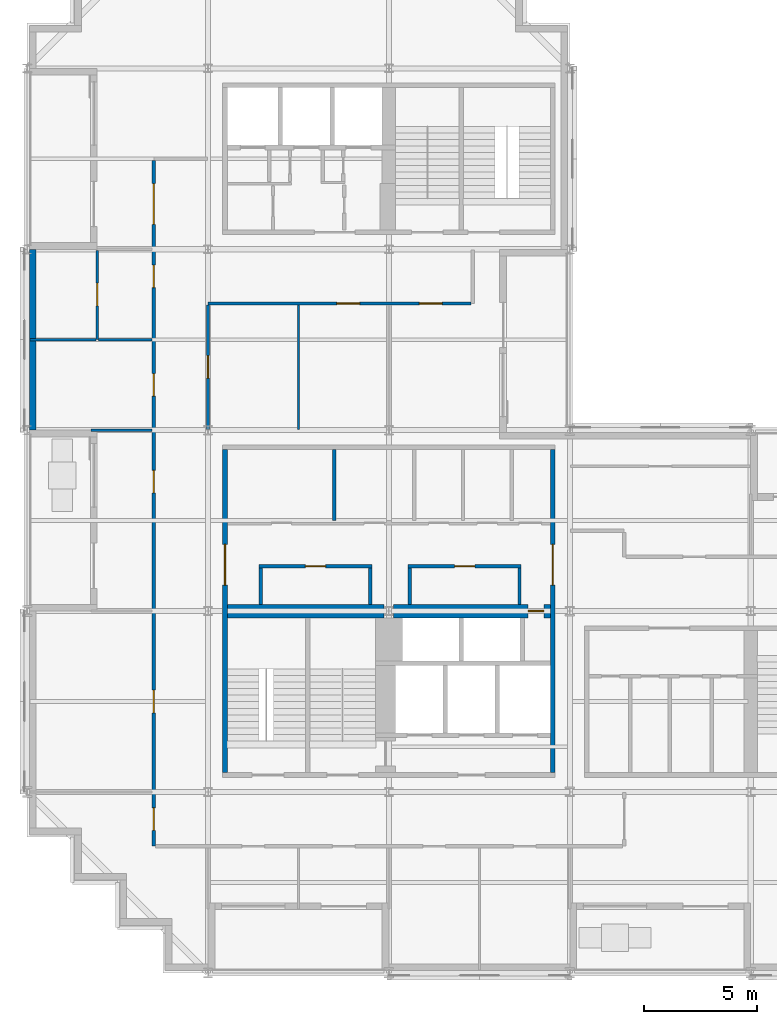
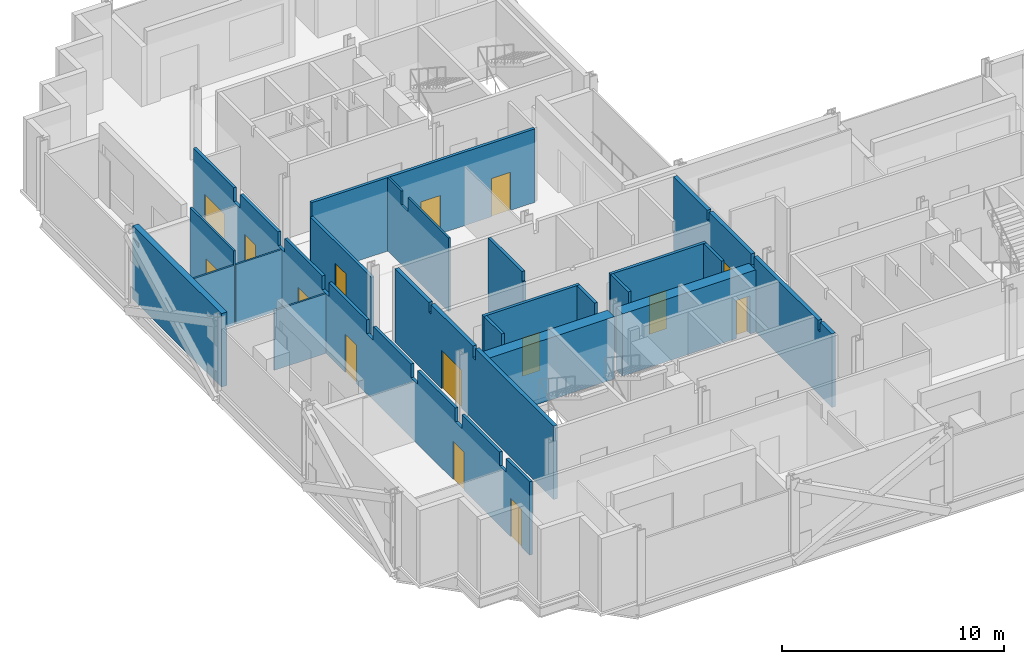
# One storey, part 6 of 13: 20 walls, 15 doors, 15 openings.
"""IFC4 building model written with IfcOpenShell, lengths in metres."""

from ifc_helpers import new_model, si_unit, direction, frame, frame_2d, origin, place, context, subcontext, project, spatial, polyline, rectangle, outline, extrude, material, layer, layer_set, type_object, element, fill, save


model = new_model("IFC4")

# Units and contexts
model_context = context("Model", 3, precision=1e-05, world=origin(), true_north=direction((0.0, 1.0)))
body_context = subcontext(model_context, "Body", "Model", "MODEL_VIEW")
ifc_project = project(units=[si_unit("LENGTHUNIT", "METRE"), si_unit("AREAUNIT", "SQUARE_METRE"), si_unit("VOLUMEUNIT", "CUBIC_METRE"), si_unit("PLANEANGLEUNIT", "RADIAN"), si_unit("MASSUNIT", "GRAM", prefix="KILO")], contexts=[model_context])

# Site, building, storey
site_placement = place(None, origin())
site = spatial("IfcSite", under=ifc_project, at=site_placement, CompositionType="ELEMENT")
building_placement = place(site_placement, origin())
building = spatial("IfcBuilding", under=site, at=building_placement, Name="Immortelle Media Tower", CompositionType="ELEMENT")
storey_placement = place(building_placement, frame((0.0, 0.0, 128.39990234375)))
storey = spatial("IfcBuildingStorey", under=building, at=storey_placement, Name="L25", CompositionType="ELEMENT", Elevation=128.39990234375)

# Wall, opening, door
ifc_material_1 = material(Name="Fire-rated masonry blockwork", Category="masonry")
ifc_layer_1 = layer(ifc_material_1, 0.60009765625)
ifc_layer_set_1 = layer_set([ifc_layer_1], Name="Fire-rated masonry blockwork")
wall_type_1 = type_object("IfcWallType", Name="Core grid-line wall 600", PredefinedType="PARTITIONING", material=ifc_layer_set_1)
wall_1_placement = place(storey_placement, frame((16.21044921875, 16.0, 0.0), z_axis=(0.0, 0.0, 1.0), x_axis=(1.0, 0.0, 0.0)))
wall_1 = element("IfcWall", 1, at=wall_1_placement, inside=storey, type_object=wall_type_1, Name="Core grid-line wall SW", PredefinedType="PARTITIONING", context=body_context, shape_type="SweptSolid", body=[
    extrude(rectangle(XDim=6.939453125, YDim=0.60009765625, at=frame_2d((3.4697265625, 0.0))), origin(), (0.0, 0.0, 1.0), 3.43212890625),
])
opening_1_placement = place(wall_1_placement, frame((6.639404296875, 0.0, 0.0), z_axis=(0.0, 0.0, 1.0), x_axis=(-1.0, 0.0, 0.0)))
opening_1 = element("IfcOpeningElement", 2, at=opening_1_placement, cuts=wall_1, Name="Opening C1-K016", PredefinedType="OPENING", context=body_context, shape_type="SweptSolid", body=[
    extrude(rectangle(XDim=0.699951171875, YDim=2.10009765625, at=frame_2d((0.35009765625, 1.050048828125))), frame((0.0, 0.31005859375, 0.0), z_axis=(0.0, -1.0, 0.0), x_axis=(1.0, 0.0, 0.0)), (0.0, 0.0, 1.0), 0.6201171875),
])
ifc_material_2 = material(Name="Galvanised steel door leaf and frame ASTM A653", Category="steel")
door_type_1 = type_object("IfcDoorType", Name="Service door 700 x 2100", OperationType="NOTDEFINED", PredefinedType="NOTDEFINED", material=ifc_material_2)
door_1_placement = place(opening_1_placement, origin())
door_1 = element("IfcDoor", 3, at=door_1_placement, inside=storey, type_object=door_type_1, Name="Service C1-K016", OperationType="SINGLE_SWING_LEFT", OverallHeight=2.10009765625, OverallWidth=0.699951171875, PredefinedType="NOTDEFINED", context=body_context, shape_type="SweptSolid", body=[
    extrude(rectangle(XDim=0.699951171875, YDim=2.10009765625, at=frame_2d((0.35009765625, 1.050048828125))), frame((0.0, 0.02490234375, 0.0), z_axis=(0.0, -1.0, 0.0), x_axis=(1.0, 0.0, 0.0)), (0.0, 0.0, 1.0), 0.050048828125),
])
fill(opening_1, door_1)

# Wall
ifc_material_3 = material(Name="Fire-rated gypsum board", Category="gypsum")
ifc_layer_2 = layer(ifc_material_3, 0.02490234375)
ifc_material_4 = material(Name="Steel ASTM A653 SS Gr 50 stud frame with mineral wool", Category="steel")
ifc_layer_3 = layer(ifc_material_4, 0.10009765625)
ifc_layer_4 = layer(ifc_material_3, 0.02490234375)
ifc_layer_set_2 = layer_set([ifc_layer_2, ifc_layer_3, ifc_layer_4], Name="Steel ASTM A653 SS Gr 50 stud frame with mineral wool")
wall_type_2 = type_object("IfcWallType", Name="Core partition 150", PredefinedType="PARTITIONING", material=ifc_layer_set_2)
wall_2_placement = place(storey_placement, frame((10.324951171875, 16.300048828125, 0.0), z_axis=(0.0, 0.0, 1.0), x_axis=(0.0, 1.0, 0.0)))
element("IfcWall", 4, at=wall_2_placement, inside=storey, type_object=wall_type_2, Name="Core partition SW", PredefinedType="PARTITIONING", context=body_context, shape_type="SweptSolid", body=[
    extrude(rectangle(XDim=1.599853515625, YDim=0.14990234375, at=frame_2d((0.7998046875, 0.0))), origin(), (0.0, 0.0, 1.0), 4.050048828125),
])

# Wall, opening, door
wall_3_placement = place(storey_placement, frame((10.25, 17.97509765625, 0.0), z_axis=(0.0, 0.0, 1.0), x_axis=(1.0, 0.0, 0.0)))
wall_3 = element("IfcWall", 5, at=wall_3_placement, inside=storey, type_object=wall_type_2, Name="Core partition SW", PredefinedType="PARTITIONING", context=body_context, shape_type="SweptSolid", body=[
    extrude(rectangle(XDim=5.0, YDim=0.14990234375, at=frame_2d((2.5, 0.0))), origin(), (0.0, 0.0, 1.0), 4.050048828125),
])
opening_2_placement = place(wall_3_placement, frame((2.949951171875, 0.0, 0.0), z_axis=(0.0, 0.0, 1.0), x_axis=(-1.0, 0.0, 0.0)))
opening_2 = element("IfcOpeningElement", 6, at=opening_2_placement, cuts=wall_3, Name="Opening C1-K004", PredefinedType="OPENING", context=body_context, shape_type="SweptSolid", body=[
    extrude(rectangle(XDim=0.89990234375, YDim=2.10009765625, at=frame_2d((0.449951171875, 1.050048828125))), frame((0.0, 0.0849609375, 0.0), z_axis=(0.0, -1.0, 0.0), x_axis=(1.0, 0.0, 0.0)), (0.0, 0.0, 1.0), 0.169921875),
])
ifc_material_5 = material(Name="Timber", Category="wood")
door_type_2 = type_object("IfcDoorType", Name="Room door 900 x 2100", OperationType="NOTDEFINED", PredefinedType="NOTDEFINED", material=ifc_material_5)
door_2_placement = place(opening_2_placement, origin())
door_2 = element("IfcDoor", 7, at=door_2_placement, inside=storey, type_object=door_type_2, Name="Room C1-K004", OperationType="SINGLE_SWING_LEFT", OverallHeight=2.10009765625, OverallWidth=0.89990234375, PredefinedType="NOTDEFINED", context=body_context, shape_type="SweptSolid", body=[
    extrude(rectangle(XDim=0.89990234375, YDim=2.10009765625, at=frame_2d((0.449951171875, 1.050048828125))), frame((0.0, 0.02490234375, 0.0), z_axis=(0.0, -1.0, 0.0), x_axis=(1.0, 0.0, 0.0)), (0.0, 0.0, 1.0), 0.050048828125),
])
fill(opening_2, door_2)

# Walls
wall_4_placement = place(storey_placement, frame((13.574951171875, 20.0, 0.0), z_axis=(0.0, 0.0, 1.0), x_axis=(0.0, 1.0, 0.0)))
element("IfcWall", 8, at=wall_4_placement, inside=storey, type_object=wall_type_2, Name="Core partition SW", PredefinedType="PARTITIONING", context=body_context, shape_type="SweptSolid", body=[
    extrude(outline(polyline([(0.0, 0.0), (3.14990234375, 0.0), (3.14990234375, 4.050048828125), (0.08740234375, 4.050048828125), (0.08642578125, 3.51806640625), (0.0, 3.51806640625), (0.0, 0.0)])), frame((0.0, 0.074951171875, 0.0), z_axis=(0.0, -1.0, 0.0), x_axis=(1.0, 0.0, 0.0)), (0.0, 0.0, 1.0), 0.14990234375),
])
for number, where, z_axis, x_axis, name in (
    (9, (15.175048828125, 16.300048828125, 0.0), (0.0, 0.0, 1.0), (0.0, 1.0, 0.0), "Core partition SW"),
    (10, (16.925048828125, 16.300048828125, 0.0), (0.0, 0.0, 1.0), (0.0, 1.0, 0.0), "Core partition SW"),
):
    element("IfcWall", number, at=place(storey_placement, frame(where, z_axis=z_axis, x_axis=x_axis)), inside=storey, type_object=wall_type_2, Name=name, PredefinedType="PARTITIONING", context=body_context, shape_type="SweptSolid", body=[
        extrude(rectangle(XDim=1.599853515625, YDim=0.14990234375, at=frame_2d((0.7998046875, 0.0))), origin(), (0.0, 0.0, 1.0), 4.050048828125),
    ])

# Wall, opening, door
wall_5_placement = place(storey_placement, frame((16.85009765625, 17.97509765625, 0.0), z_axis=(0.0, 0.0, 1.0), x_axis=(1.0, 0.0, 0.0)))
wall_5 = element("IfcWall", 11, at=wall_5_placement, inside=storey, type_object=wall_type_2, Name="Core partition SW", PredefinedType="PARTITIONING", context=body_context, shape_type="SweptSolid", body=[
    extrude(rectangle(XDim=5.0, YDim=0.14990234375, at=frame_2d((2.5, 0.0))), origin(), (0.0, 0.0, 1.0), 4.050048828125),
])
opening_3_placement = place(wall_5_placement, frame((2.949951171875, 0.0, 0.0), z_axis=(0.0, 0.0, 1.0), x_axis=(-1.0, 0.0, 0.0)))
opening_3 = element("IfcOpeningElement", 12, at=opening_3_placement, cuts=wall_5, Name="Opening C1-K010", PredefinedType="OPENING", context=body_context, shape_type="SweptSolid", body=[
    extrude(rectangle(XDim=0.89990234375, YDim=2.10009765625, at=frame_2d((0.449951171875, 1.050048828125))), frame((0.0, 0.0849609375, 0.0), z_axis=(0.0, -1.0, 0.0), x_axis=(1.0, 0.0, 0.0)), (0.0, 0.0, 1.0), 0.169921875),
])
door_3_placement = place(opening_3_placement, origin())
door_3 = element("IfcDoor", 13, at=door_3_placement, inside=storey, type_object=door_type_2, Name="Room C1-K010", OperationType="SINGLE_SWING_LEFT", OverallHeight=2.10009765625, OverallWidth=0.89990234375, PredefinedType="NOTDEFINED", context=body_context, shape_type="SweptSolid", body=[
    extrude(rectangle(XDim=0.89990234375, YDim=2.10009765625, at=frame_2d((0.449951171875, 1.050048828125))), frame((0.0, 0.02490234375, 0.0), z_axis=(0.0, -1.0, 0.0), x_axis=(1.0, 0.0, 0.0)), (0.0, 0.0, 1.0), 0.050048828125),
])
fill(opening_3, door_3)

# Wall
wall_6_placement = place(storey_placement, frame((21.77490234375, 16.300048828125, 0.0), z_axis=(0.0, 0.0, 1.0), x_axis=(0.0, 1.0, 0.0)))
element("IfcWall", 14, at=wall_6_placement, inside=storey, type_object=wall_type_2, Name="Core partition SW", PredefinedType="PARTITIONING", context=body_context, shape_type="SweptSolid", body=[
    extrude(rectangle(XDim=1.599853515625, YDim=0.14990234375, at=frame_2d((0.7998046875, 0.0))), origin(), (0.0, 0.0, 1.0), 4.050048828125),
])

# Wall, opening, door
ifc_layer_5 = layer(ifc_material_3, 0.03759765625)
ifc_layer_6 = layer(ifc_material_4, 0.125)
ifc_layer_7 = layer(ifc_material_3, 0.03759765625)
ifc_layer_set_3 = layer_set([ifc_layer_5, ifc_layer_6, ifc_layer_7], Name="Steel ASTM A653 SS Gr 50 stud frame with mineral wool")
wall_type_3 = type_object("IfcWallType", Name="Core shaft wall 200", PredefinedType="PARTITIONING", material=ifc_layer_set_3)
wall_7_placement = place(storey_placement, frame((23.25, 8.85009765625, 0.0), z_axis=(0.0, 0.0, 1.0), x_axis=(0.0, 1.0, 0.0)))
wall_7 = element("IfcWall", 15, at=wall_7_placement, inside=storey, type_object=wall_type_3, Name="Core shaft wall SW", PredefinedType="PARTITIONING", context=body_context, shape_type="SweptSolid", body=[
    extrude(outline(polyline([(0.0, 0.0), (14.2998046875, 0.0), (14.300048828125, 4.050048828125), (11.237548828125, 4.050048828125), (11.236572265625, 3.51806640625), (11.0634765625, 3.51806640625), (11.0625, 4.050048828125), (7.26953125, 4.050048828125), (7.2685546875, 3.43212890625), (7.031494140625, 3.43212890625), (7.030517578125, 4.050048828125), (1.237548828125, 4.050048828125), (1.236572265625, 3.51806640625), (1.0634765625, 3.51806640625), (1.0625, 4.050048828125), (0.0, 4.050048828125), (0.0, 0.0)])), frame((0.0, 0.10009765625, 0.0), z_axis=(0.0, -1.0, 0.0), x_axis=(1.0, 0.0, 0.0)), (0.0, 0.0, 1.0), 0.199951171875),
])
opening_4_placement = place(wall_7_placement, frame((8.300048828125, 0.0, 0.0)))
opening_4 = element("IfcOpeningElement", 16, at=opening_4_placement, cuts=wall_7, Name="Opening C1-K017", PredefinedType="OPENING", context=body_context, shape_type="SweptSolid", body=[
    extrude(rectangle(XDim=1.800048828125, YDim=2.10009765625, at=frame_2d((0.89990234375, 1.050048828125))), frame((0.0, 0.10986328125, 0.0), z_axis=(0.0, -1.0, 0.0), x_axis=(1.0, 0.0, 0.0)), (0.0, 0.0, 1.0), 0.219970703125),
])
door_type_3 = type_object("IfcDoorType", Name="Lift lobby door 1800 x 2100", OperationType="DOUBLE_DOOR_SINGLE_SWING", PredefinedType="NOTDEFINED", material=ifc_material_2)
door_4_placement = place(opening_4_placement, origin())
door_4 = element("IfcDoor", 17, at=door_4_placement, inside=storey, type_object=door_type_3, Name="Lift lobby C1-K017", OperationType="DOUBLE_DOOR_SINGLE_SWING", OverallHeight=2.10009765625, OverallWidth=1.800048828125, PredefinedType="NOTDEFINED", context=body_context, shape_type="SweptSolid", body=[
    extrude(rectangle(XDim=1.800048828125, YDim=2.10009765625, at=frame_2d((0.89990234375, 1.050048828125))), frame((0.0, 0.02490234375, 0.0), z_axis=(0.0, -1.0, 0.0), x_axis=(1.0, 0.0, 0.0)), (0.0, 0.0, 1.0), 0.050048828125),
])
fill(opening_4, door_4)

# Wall, openings, doors
ifc_layer_8 = layer(ifc_material_3, 0.012451171875)
ifc_layer_9 = layer(ifc_material_4, 0.125)
ifc_layer_10 = layer(ifc_material_3, 0.012451171875)
ifc_layer_set_4 = layer_set([ifc_layer_8, ifc_layer_9, ifc_layer_10], Name="Steel ASTM A653 SS Gr 50 stud frame with mineral wool")
wall_type_4 = type_object("IfcWallType", Name="Corridor wall 150", PredefinedType="PARTITIONING", material=ifc_layer_set_4)
wall_8_placement = place(storey_placement, frame((5.60009765625, 5.60009765625, 0.0), z_axis=(0.0, 0.0, 1.0), x_axis=(0.0, 1.0, 0.0)))
wall_8 = element("IfcWall", 18, at=wall_8_placement, inside=storey, type_object=wall_type_4, Name="Partition L25-007", PredefinedType="PARTITIONING", context=body_context, shape_type="SweptSolid", body=[
    extrude(outline(polyline([(0.0, 0.0), (30.324951171875, 0.0), (30.324951171875, 4.050048828125), (26.699951171875, 4.050048828125), (26.697998046875, 3.2880859375), (26.10205078125, 3.2880859375), (26.10009765625, 4.050048828125), (22.699951171875, 4.050048828125), (22.697998046875, 3.2880859375), (22.10205078125, 3.2880859375), (22.10009765625, 4.050048828125), (18.699951171875, 4.050048828125), (18.697998046875, 3.2880859375), (18.10205078125, 3.2880859375), (18.10009765625, 4.050048828125), (14.699951171875, 4.050048828125), (14.697998046875, 3.2880859375), (14.10205078125, 3.2880859375), (14.10009765625, 4.050048828125), (10.699951171875, 4.050048828125), (10.697998046875, 3.2880859375), (10.10205078125, 3.2880859375), (10.10009765625, 4.050048828125), (6.699951171875, 4.050048828125), (6.697998046875, 3.2880859375), (6.10205078125, 3.2880859375), (6.10009765625, 4.050048828125), (2.699951171875, 4.050048828125), (2.697998046875, 3.2880859375), (2.10205078125, 3.2880859375), (2.10009765625, 4.050048828125), (0.0, 4.050048828125), (0.0, 0.0)])), frame((0.0, 0.074951171875, 0.0), z_axis=(0.0, -1.0, 0.0), x_axis=(1.0, 0.0, 0.0)), (0.0, 0.0, 1.0), 0.14990234375),
])
opening_5_placement = place(wall_8_placement, frame((0.699951171875, 0.0, 0.0)))
opening_5 = element("IfcOpeningElement", 19, at=opening_5_placement, cuts=wall_8, Name="Opening C1-F005", PredefinedType="OPENING", context=body_context, shape_type="SweptSolid", body=[
    extrude(rectangle(XDim=1.0, YDim=2.10009765625, at=frame_2d((0.5, 1.050048828125))), frame((0.0, 0.0849609375, 0.0), z_axis=(0.0, -1.0, 0.0), x_axis=(1.0, 0.0, 0.0)), (0.0, 0.0, 1.0), 0.169921875),
])
opening_6_placement = place(wall_8_placement, frame((5.89990234375, 0.0, 0.0)))
opening_6 = element("IfcOpeningElement", 20, at=opening_6_placement, cuts=wall_8, Name="Opening C1-F007", PredefinedType="OPENING", context=body_context, shape_type="SweptSolid", body=[
    extrude(rectangle(XDim=1.0, YDim=2.10009765625, at=frame_2d((0.5, 1.050048828125))), frame((0.0, 0.0849609375, 0.0), z_axis=(0.0, -1.0, 0.0), x_axis=(1.0, 0.0, 0.0)), (0.0, 0.0, 1.0), 0.169921875),
])
opening_7_placement = place(wall_8_placement, frame((15.625, 0.0, 0.0)))
opening_7 = element("IfcOpeningElement", 21, at=opening_7_placement, cuts=wall_8, Name="Opening C1-F009", PredefinedType="OPENING", context=body_context, shape_type="SweptSolid", body=[
    extrude(rectangle(XDim=1.0, YDim=2.10009765625, at=frame_2d((0.5, 1.050048828125))), frame((0.0, 0.0849609375, 0.0), z_axis=(0.0, -1.0, 0.0), x_axis=(1.0, 0.0, 0.0)), (0.0, 0.0, 1.0), 0.169921875),
])
opening_8_placement = place(wall_8_placement, frame((19.89990234375, 0.0, 0.0)))
opening_8 = element("IfcOpeningElement", 22, at=opening_8_placement, cuts=wall_8, Name="Opening C1-F015", PredefinedType="OPENING", context=body_context, shape_type="SweptSolid", body=[
    extrude(rectangle(XDim=1.0, YDim=2.10009765625, at=frame_2d((0.5, 1.050048828125))), frame((0.0, 0.0849609375, 0.0), z_axis=(0.0, -1.0, 0.0), x_axis=(1.0, 0.0, 0.0)), (0.0, 0.0, 1.0), 0.169921875),
])
opening_9_placement = place(wall_8_placement, frame((24.699951171875, 0.0, 0.0)))
opening_9 = element("IfcOpeningElement", 23, at=opening_9_placement, cuts=wall_8, Name="Opening C1-F016", PredefinedType="OPENING", context=body_context, shape_type="SweptSolid", body=[
    extrude(rectangle(XDim=1.0, YDim=2.10009765625, at=frame_2d((0.5, 1.050048828125))), frame((0.0, 0.0849609375, 0.0), z_axis=(0.0, -1.0, 0.0), x_axis=(1.0, 0.0, 0.0)), (0.0, 0.0, 1.0), 0.169921875),
])
opening_10_placement = place(wall_8_placement, frame((27.5, 0.0, 0.0)))
opening_10 = element("IfcOpeningElement", 24, at=opening_10_placement, cuts=wall_8, Name="Opening C1-F018", PredefinedType="OPENING", context=body_context, shape_type="SweptSolid", body=[
    extrude(rectangle(XDim=1.800048828125, YDim=2.10009765625, at=frame_2d((0.89990234375, 1.050048828125))), frame((0.0, 0.0849609375, 0.0), z_axis=(0.0, -1.0, 0.0), x_axis=(1.0, 0.0, 0.0)), (0.0, 0.0, 1.0), 0.169921875),
])
ifc_material_6 = material(Name="Timber veneered door leaf, galvanised steel frame ASTM A653", Category="steel")
door_type_4 = type_object("IfcDoorType", Name="Room door 1000 x 2100", OperationType="NOTDEFINED", PredefinedType="DOOR", material=ifc_material_6)
door_5_placement = place(opening_5_placement, origin())
door_5 = element("IfcDoor", 25, at=door_5_placement, inside=storey, type_object=door_type_4, Name="Door C1-F005", OperationType="SINGLE_SWING_RIGHT", OverallHeight=2.10009765625, OverallWidth=1.0, PredefinedType="DOOR", context=body_context, shape_type="SweptSolid", body=[
    extrude(rectangle(XDim=1.0, YDim=2.10009765625, at=frame_2d((0.5, 1.050048828125))), frame((0.0, 0.02490234375, 0.0), z_axis=(0.0, -1.0, 0.0), x_axis=(1.0, 0.0, 0.0)), (0.0, 0.0, 1.0), 0.050048828125),
])
fill(opening_5, door_5)
door_6_placement = place(opening_6_placement, origin())
door_6 = element("IfcDoor", 26, at=door_6_placement, inside=storey, type_object=door_type_4, Name="Door C1-F007", OperationType="SINGLE_SWING_RIGHT", OverallHeight=2.10009765625, OverallWidth=1.0, PredefinedType="DOOR", context=body_context, shape_type="SweptSolid", body=[
    extrude(rectangle(XDim=1.0, YDim=2.10009765625, at=frame_2d((0.5, 1.050048828125))), frame((0.0, 0.02490234375, 0.0), z_axis=(0.0, -1.0, 0.0), x_axis=(1.0, 0.0, 0.0)), (0.0, 0.0, 1.0), 0.050048828125),
])
fill(opening_6, door_6)
door_7_placement = place(opening_7_placement, origin())
door_7 = element("IfcDoor", 27, at=door_7_placement, inside=storey, type_object=door_type_4, Name="Door C1-F009", OperationType="SINGLE_SWING_RIGHT", OverallHeight=2.10009765625, OverallWidth=1.0, PredefinedType="DOOR", context=body_context, shape_type="SweptSolid", body=[
    extrude(rectangle(XDim=1.0, YDim=2.10009765625, at=frame_2d((0.5, 1.050048828125))), frame((0.0, 0.02490234375, 0.0), z_axis=(0.0, -1.0, 0.0), x_axis=(1.0, 0.0, 0.0)), (0.0, 0.0, 1.0), 0.050048828125),
])
fill(opening_7, door_7)
door_8_placement = place(opening_8_placement, origin())
door_8 = element("IfcDoor", 28, at=door_8_placement, inside=storey, type_object=door_type_4, Name="Door C1-F015", OperationType="SINGLE_SWING_RIGHT", OverallHeight=2.10009765625, OverallWidth=1.0, PredefinedType="DOOR", context=body_context, shape_type="SweptSolid", body=[
    extrude(rectangle(XDim=1.0, YDim=2.10009765625, at=frame_2d((0.5, 1.050048828125))), frame((0.0, 0.02490234375, 0.0), z_axis=(0.0, -1.0, 0.0), x_axis=(1.0, 0.0, 0.0)), (0.0, 0.0, 1.0), 0.050048828125),
])
fill(opening_8, door_8)
door_9_placement = place(opening_9_placement, origin())
door_9 = element("IfcDoor", 29, at=door_9_placement, inside=storey, type_object=door_type_4, Name="Door C1-F016", OperationType="SINGLE_SWING_RIGHT", OverallHeight=2.10009765625, OverallWidth=1.0, PredefinedType="DOOR", context=body_context, shape_type="SweptSolid", body=[
    extrude(rectangle(XDim=1.0, YDim=2.10009765625, at=frame_2d((0.5, 1.050048828125))), frame((0.0, 0.02490234375, 0.0), z_axis=(0.0, -1.0, 0.0), x_axis=(1.0, 0.0, 0.0)), (0.0, 0.0, 1.0), 0.050048828125),
])
fill(opening_9, door_9)
door_type_5 = type_object("IfcDoorType", Name="Room door 1800 x 2100", OperationType="DOUBLE_DOOR_SINGLE_SWING", PredefinedType="DOOR", material=ifc_material_6)
door_10_placement = place(opening_10_placement, origin())
door_10 = element("IfcDoor", 30, at=door_10_placement, inside=storey, type_object=door_type_5, Name="Door C1-F018", OperationType="DOUBLE_DOOR_SINGLE_SWING", OverallHeight=2.10009765625, OverallWidth=1.800048828125, PredefinedType="DOOR", context=body_context, shape_type="SweptSolid", body=[
    extrude(rectangle(XDim=1.800048828125, YDim=2.10009765625, at=frame_2d((0.89990234375, 1.050048828125))), frame((0.0, 0.02490234375, 0.0), z_axis=(0.0, -1.0, 0.0), x_axis=(1.0, 0.0, 0.0)), (0.0, 0.0, 1.0), 0.050048828125),
])
fill(opening_10, door_10)

# Wall, opening, door
wall_9_placement = place(storey_placement, frame((8.0, 24.030029296875, 0.0), z_axis=(0.0, 0.0, 1.0), x_axis=(0.0, 1.0, 0.0)))
wall_9 = element("IfcWall", 31, at=wall_9_placement, inside=storey, type_object=wall_type_4, Name="Partition L25-019", PredefinedType="PARTITIONING", context=body_context, shape_type="SweptSolid", body=[
    extrude(rectangle(XDim=5.494873046875, YDim=0.14990234375, at=frame_2d((2.74755859375, 0.0))), origin(), (0.0, 0.0, 1.0), 3.2880859375),
])
opening_11_placement = place(wall_9_placement, frame((3.27001953125, 0.0, 0.0), z_axis=(0.0, 0.0, 1.0), x_axis=(-1.0, 0.0, 0.0)))
opening_11 = element("IfcOpeningElement", 32, at=opening_11_placement, cuts=wall_9, Name="Opening C1-F012", PredefinedType="OPENING", context=body_context, shape_type="SweptSolid", body=[
    extrude(rectangle(XDim=1.0, YDim=2.10009765625, at=frame_2d((0.5, 1.050048828125))), frame((0.0, 0.0849609375, 0.0), z_axis=(0.0, -1.0, 0.0), x_axis=(1.0, 0.0, 0.0)), (0.0, 0.0, 1.0), 0.169921875),
])
door_11_placement = place(opening_11_placement, origin())
door_11 = element("IfcDoor", 33, at=door_11_placement, inside=storey, type_object=door_type_4, Name="Door C1-F012", OperationType="SINGLE_SWING_RIGHT", OverallHeight=2.10009765625, OverallWidth=1.0, PredefinedType="DOOR", context=body_context, shape_type="SweptSolid", body=[
    extrude(rectangle(XDim=1.0, YDim=2.10009765625, at=frame_2d((0.5, 1.050048828125))), frame((0.0, 0.02490234375, 0.0), z_axis=(0.0, -1.0, 0.0), x_axis=(1.0, 0.0, 0.0)), (0.0, 0.0, 1.0), 0.050048828125),
])
fill(opening_11, door_11)

# Wall, openings, doors
wall_10_placement = place(storey_placement, frame((8.0, 29.60009765625, 0.0), z_axis=(0.0, 0.0, 1.0), x_axis=(1.0, 0.0, 0.0)))
wall_10 = element("IfcWall", 34, at=wall_10_placement, inside=storey, type_object=wall_type_4, Name="Partition L25-025", PredefinedType="PARTITIONING", context=body_context, shape_type="SweptSolid", body=[
    extrude(rectangle(XDim=11.625, YDim=0.14990234375, at=frame_2d((5.8125, 0.0))), origin(), (0.0, 0.0, 1.0), 4.050048828125),
])
opening_12_placement = place(wall_10_placement, frame((6.699951171875, 0.0, 0.0), z_axis=(0.0, 0.0, 1.0), x_axis=(-1.0, 0.0, 0.0)))
opening_12 = element("IfcOpeningElement", 35, at=opening_12_placement, cuts=wall_10, Name="Opening C1-F013", PredefinedType="OPENING", context=body_context, shape_type="SweptSolid", body=[
    extrude(rectangle(XDim=1.0, YDim=2.10009765625, at=frame_2d((0.5, 1.050048828125))), frame((0.0, 0.0849609375, 0.0), z_axis=(0.0, -1.0, 0.0), x_axis=(1.0, 0.0, 0.0)), (0.0, 0.0, 1.0), 0.169921875),
])
opening_13_placement = place(wall_10_placement, frame((10.35009765625, 0.0, 0.0), z_axis=(0.0, 0.0, 1.0), x_axis=(-1.0, 0.0, 0.0)))
opening_13 = element("IfcOpeningElement", 36, at=opening_13_placement, cuts=wall_10, Name="Opening C1-F014", PredefinedType="OPENING", context=body_context, shape_type="SweptSolid", body=[
    extrude(rectangle(XDim=1.0, YDim=2.10009765625, at=frame_2d((0.5, 1.050048828125))), frame((0.0, 0.0849609375, 0.0), z_axis=(0.0, -1.0, 0.0), x_axis=(1.0, 0.0, 0.0)), (0.0, 0.0, 1.0), 0.169921875),
])
door_12_placement = place(opening_12_placement, origin())
door_12 = element("IfcDoor", 37, at=door_12_placement, inside=storey, type_object=door_type_4, Name="Door C1-F013", OperationType="SINGLE_SWING_LEFT", OverallHeight=2.10009765625, OverallWidth=1.0, PredefinedType="DOOR", context=body_context, shape_type="SweptSolid", body=[
    extrude(rectangle(XDim=1.0, YDim=2.10009765625, at=frame_2d((0.5, 1.050048828125))), frame((0.0, 0.02490234375, 0.0), z_axis=(0.0, -1.0, 0.0), x_axis=(1.0, 0.0, 0.0)), (0.0, 0.0, 1.0), 0.050048828125),
])
fill(opening_12, door_12)
door_13_placement = place(opening_13_placement, origin())
door_13 = element("IfcDoor", 38, at=door_13_placement, inside=storey, type_object=door_type_4, Name="Door C1-F014", OperationType="SINGLE_SWING_RIGHT", OverallHeight=2.10009765625, OverallWidth=1.0, PredefinedType="DOOR", context=body_context, shape_type="SweptSolid", body=[
    extrude(rectangle(XDim=1.0, YDim=2.10009765625, at=frame_2d((0.5, 1.050048828125))), frame((0.0, 0.02490234375, 0.0), z_axis=(0.0, -1.0, 0.0), x_axis=(1.0, 0.0, 0.0)), (0.0, 0.0, 1.0), 0.050048828125),
])
fill(opening_13, door_13)

# Walls
ifc_material_7 = material(Name="Pale aluminium cladding panel", Category="aluminium")
ifc_layer_11 = layer(ifc_material_7, 0.030029296875)
ifc_layer_12 = layer(ifc_material_4, 0.257568359375)
ifc_material_8 = material(Name="Moisture-resistant gypsum board", Category="gypsum")
ifc_layer_13 = layer(ifc_material_8, 0.012451171875)
ifc_layer_set_5 = layer_set([ifc_layer_11, ifc_layer_12, ifc_layer_13], Name="Steel ASTM A653 SS Gr 50 stud frame with mineral wool")
wall_type_5 = type_object("IfcWallType", Name="Facade wall 300", PredefinedType="SOLIDWALL", material=ifc_layer_set_5)
wall_11_placement = place(storey_placement, frame((0.25, 32.0, 0.0), z_axis=(0.0, 0.0, 1.0), x_axis=(0.0, -1.0, 0.0)))
element("IfcWall", 39, at=wall_11_placement, inside=storey, type_object=wall_type_5, Name="Facade wall L25 W35", PredefinedType="SOLIDWALL", context=body_context, shape_type="SweptSolid", body=[
    extrude(rectangle(XDim=8.0, YDim=0.300048828125, at=frame_2d((4.0, 0.0))), origin(), (0.0, 0.0, 1.0), 4.050048828125),
])
ifc_material_9 = material(Name="Gypsum board", Category="gypsum")
ifc_layer_14 = layer(ifc_material_9, 0.012451171875)
ifc_layer_15 = layer(ifc_material_4, 0.074951171875)
ifc_layer_16 = layer(ifc_material_9, 0.012451171875)
ifc_layer_set_6 = layer_set([ifc_layer_14, ifc_layer_15, ifc_layer_16], Name="Steel ASTM A653 SS Gr 50 stud frame with mineral wool")
wall_type_6 = type_object("IfcWallType", Name="Partition 100", PredefinedType="PARTITIONING", material=ifc_layer_set_6)
wall_12_placement = place(storey_placement, frame((2.830078125, 24.0, 0.0), z_axis=(0.0, 0.0, 1.0), x_axis=(1.0, 0.0, 0.0)))
element("IfcWall", 40, at=wall_12_placement, inside=storey, type_object=wall_type_6, Name="Partition L25-018", PredefinedType="PARTITIONING", context=body_context, shape_type="SweptSolid", body=[
    extrude(rectangle(XDim=2.69482421875, YDim=0.10009765625, at=frame_2d((1.347412109375, 0.0))), origin(), (0.0, 0.0, 1.0), 3.2880859375),
])
wall_13_placement = place(storey_placement, frame((12.0, 24.030029296875, 0.0), z_axis=(0.0, 0.0, 1.0), x_axis=(0.0, 1.0, 0.0)))
element("IfcWall", 41, at=wall_13_placement, inside=storey, type_object=wall_type_6, Name="Partition L25-020", PredefinedType="PARTITIONING", context=body_context, shape_type="SweptSolid", body=[
    extrude(outline(polyline([(0.0, 0.0), (5.494873046875, 0.0), (5.4951171875, 4.050048828125), (4.27001953125, 4.050048828125), (4.26806640625, 3.2880859375), (3.672119140625, 3.2880859375), (3.669921875, 4.050048828125), (0.0, 4.050048828125), (0.0, 0.0)])), frame((0.0, 0.050048828125, 0.0), z_axis=(0.0, -1.0, 0.0), x_axis=(1.0, 0.0, 0.0)), (0.0, 0.0, 1.0), 0.10009765625),
])
wall_14_placement = place(storey_placement, frame((0.1298828125, 28.0, 0.0), z_axis=(0.0, 0.0, 1.0), x_axis=(1.0, 0.0, 0.0)))
element("IfcWall", 42, at=wall_14_placement, inside=storey, type_object=wall_type_6, Name="Partition L25-022", PredefinedType="PARTITIONING", context=body_context, shape_type="SweptSolid", body=[
    extrude(rectangle(XDim=2.920166015625, YDim=0.10009765625, at=frame_2d((1.4599609375, 0.0))), origin(), (0.0, 0.0, 1.0), 3.2880859375),
])
wall_15_placement = place(storey_placement, frame((3.14990234375, 28.0, 0.0), z_axis=(0.0, 0.0, 1.0), x_axis=(1.0, 0.0, 0.0)))
element("IfcWall", 43, at=wall_15_placement, inside=storey, type_object=wall_type_6, Name="Partition L25-023", PredefinedType="PARTITIONING", context=body_context, shape_type="SweptSolid", body=[
    extrude(rectangle(XDim=2.375, YDim=0.10009765625, at=frame_2d((1.1875, 0.0))), origin(), (0.0, 0.0, 1.0), 3.2880859375),
])

# Wall, opening, door
wall_16_placement = place(storey_placement, frame((3.10009765625, 28.0, 0.0), z_axis=(0.0, 0.0, 1.0), x_axis=(0.0, 1.0, 0.0)))
wall_16 = element("IfcWall", 44, at=wall_16_placement, inside=storey, type_object=wall_type_6, Name="Partition L25-024", PredefinedType="PARTITIONING", context=body_context, shape_type="SweptSolid", body=[
    extrude(rectangle(XDim=3.949951171875, YDim=0.10009765625, at=frame_2d((1.97509765625, 0.0))), origin(), (0.0, 0.0, 1.0), 4.050048828125),
])
opening_14_placement = place(wall_16_placement, frame((1.5, 0.0, 0.0)))
opening_14 = element("IfcOpeningElement", 45, at=opening_14_placement, cuts=wall_16, Name="Opening C1-F017", PredefinedType="OPENING", context=body_context, shape_type="SweptSolid", body=[
    extrude(rectangle(XDim=1.0, YDim=2.10009765625, at=frame_2d((0.5, 1.050048828125))), frame((0.0, 0.06005859375, 0.0), z_axis=(0.0, -1.0, 0.0), x_axis=(1.0, 0.0, 0.0)), (0.0, 0.0, 1.0), 0.1201171875),
])
door_14_placement = place(opening_14_placement, origin())
door_14 = element("IfcDoor", 46, at=door_14_placement, inside=storey, type_object=door_type_4, Name="Door C1-F017", OperationType="SINGLE_SWING_LEFT", OverallHeight=2.10009765625, OverallWidth=1.0, PredefinedType="DOOR", context=body_context, shape_type="SweptSolid", body=[
    extrude(rectangle(XDim=1.0, YDim=2.10009765625, at=frame_2d((0.5, 1.050048828125))), frame((0.0, 0.02490234375, 0.0), z_axis=(0.0, -1.0, 0.0), x_axis=(1.0, 0.0, 0.0)), (0.0, 0.0, 1.0), 0.050048828125),
])
fill(opening_14, door_14)

ifc_material_10 = material(Name="Concrete C60", Category="concrete")
ifc_layer_17 = layer(ifc_material_10, 0.199951171875)
ifc_layer_set_7 = layer_set([ifc_layer_17], Name="Concrete C60")
wall_type_7 = type_object("IfcWallType", Name="Stair shaft wall 200", PredefinedType="PARTITIONING", material=ifc_layer_set_7)
wall_17_placement = place(storey_placement, frame((8.75, 8.85009765625, 0.0), z_axis=(0.0, 0.0, 1.0), x_axis=(0.0, 1.0, 0.0)))
wall_17 = element("IfcWall", 47, at=wall_17_placement, inside=storey, type_object=wall_type_7, Name="Stair shaft wall SW", PredefinedType="PARTITIONING", context=body_context, shape_type="SweptSolid", body=[
    extrude(outline(polyline([(0.0, 0.0), (14.2998046875, 0.0), (14.300048828125, 4.050048828125), (11.237548828125, 4.050048828125), (11.236572265625, 3.51806640625), (11.0634765625, 3.51806640625), (11.0625, 4.050048828125), (7.26953125, 4.050048828125), (7.2685546875, 3.43212890625), (7.031494140625, 3.43212890625), (7.030517578125, 4.050048828125), (0.0, 4.050048828125), (0.0, 0.0)])), frame((0.0, 0.10009765625, 0.0), z_axis=(0.0, -1.0, 0.0), x_axis=(1.0, 0.0, 0.0)), (0.0, 0.0, 1.0), 0.199951171875),
])
opening_15_placement = place(wall_17_placement, frame((8.300048828125, 0.0, 0.0)))
opening_15 = element("IfcOpeningElement", 48, at=opening_15_placement, cuts=wall_17, Name="Opening C1-K001", PredefinedType="OPENING", context=body_context, shape_type="SweptSolid", body=[
    extrude(rectangle(XDim=1.800048828125, YDim=2.10009765625, at=frame_2d((0.89990234375, 1.050048828125))), frame((0.0, 0.10986328125, 0.0), z_axis=(0.0, -1.0, 0.0), x_axis=(1.0, 0.0, 0.0)), (0.0, 0.0, 1.0), 0.219970703125),
])
door_15_placement = place(opening_15_placement, origin())
door_15 = element("IfcDoor", 49, at=door_15_placement, inside=storey, type_object=door_type_3, Name="Lift lobby C1-K001", OperationType="DOUBLE_DOOR_SINGLE_SWING", OverallHeight=2.10009765625, OverallWidth=1.800048828125, PredefinedType="NOTDEFINED", context=body_context, shape_type="SweptSolid", body=[
    extrude(rectangle(XDim=1.800048828125, YDim=2.10009765625, at=frame_2d((0.89990234375, 1.050048828125))), frame((0.0, 0.02490234375, 0.0), z_axis=(0.0, -1.0, 0.0), x_axis=(1.0, 0.0, 0.0)), (0.0, 0.0, 1.0), 0.050048828125),
])
fill(opening_15, door_15)

# Wall
ifc_layer_18 = layer(ifc_material_10, 0.60009765625)
ifc_layer_set_8 = layer_set([ifc_layer_18], Name="Concrete C60")
wall_type_8 = type_object("IfcWallType", Name="Stair shaft wall 600", PredefinedType="PARTITIONING", material=ifc_layer_set_8)
wall_18_placement = place(storey_placement, frame((8.85009765625, 16.0, 0.0), z_axis=(0.0, 0.0, 1.0), x_axis=(1.0, 0.0, 0.0)))
element("IfcWall", 50, at=wall_18_placement, inside=storey, type_object=wall_type_8, Name="Stair shaft wall SW", PredefinedType="PARTITIONING", context=body_context, shape_type="SweptSolid", body=[
    extrude(rectangle(XDim=6.939453125, YDim=0.60009765625, at=frame_2d((3.4697265625, 0.0))), origin(), (0.0, 0.0, 1.0), 3.43212890625),
])

save(model, "model.ifc")
